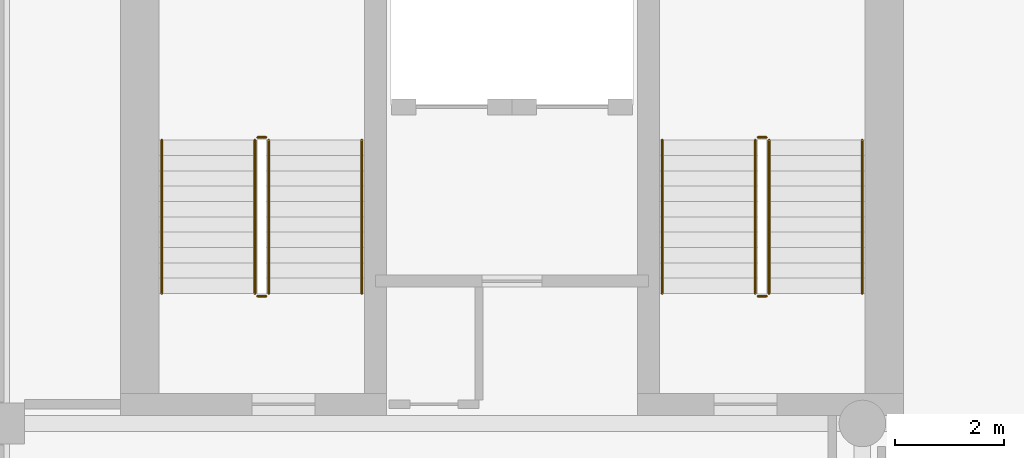
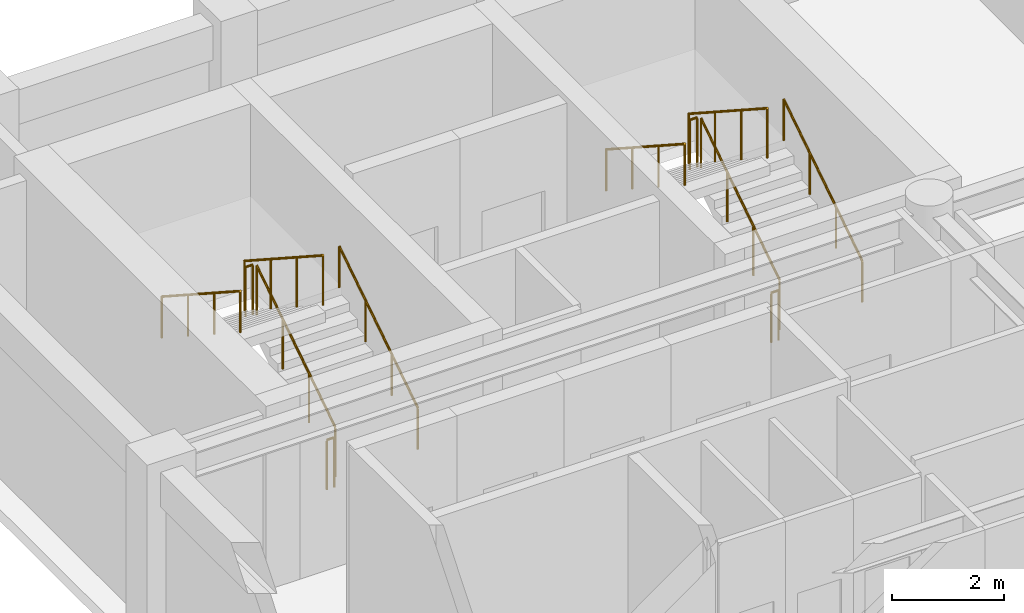
# One storey, part 7 of 8: 12 railings.
"""IFC4 building model written with IfcOpenShell, lengths in metres."""

from ifc_helpers import new_model, si_unit, direction, frame, origin, origin_2d, place, context, subcontext, project, spatial, circle, extrude, material, type_object, element, save


model = new_model("IFC4")

# Units and contexts
model_context = context("Model", 3, precision=1e-05, world=origin(), true_north=direction((0.0, 1.0)))
body_context = subcontext(model_context, "Body", "Model", "MODEL_VIEW")
ifc_project = project(units=[si_unit("LENGTHUNIT", "METRE"), si_unit("AREAUNIT", "SQUARE_METRE"), si_unit("VOLUMEUNIT", "CUBIC_METRE"), si_unit("PLANEANGLEUNIT", "RADIAN"), si_unit("MASSUNIT", "GRAM", prefix="KILO")], contexts=[model_context])

# Site, building, storey
site_placement = place(None, origin())
site = spatial("IfcSite", under=ifc_project, at=site_placement, CompositionType="ELEMENT")
building_placement = place(site_placement, origin())
building = spatial("IfcBuilding", under=site, at=building_placement, Name="Sulina Concourse Tower", CompositionType="ELEMENT")
storey_placement = place(building_placement, frame((0.0, 0.0, 252.60009765625)))
storey = spatial("IfcBuildingStorey", under=building, at=storey_placement, Name="L61", CompositionType="ELEMENT", Elevation=252.60009765625)

# Railings
ifc_material_1 = material(Name="Galvanised steel railing", Category="steel")
railing_type_1 = type_object("IfcRailingType", Name="Core Stair Steel Guardrail 1150mm", PredefinedType="GUARDRAIL", material=ifc_material_1)
railing_1_placement = place(storey_placement, frame((5.554931640625, 36.375, 0.181640625)))
element("IfcRailing", 1, at=railing_1_placement, inside=storey, type_object=railing_type_1, Name="L61 ST-1 stair guard 1", PredefinedType="GUARDRAIL", context=body_context, shape_type="SweptSolid", body=[
    extrude(circle(Radius=0.02392578125, at=origin_2d()), frame((0.0, 0.0, 1.076171875), z_axis=(0.0, 0.838672427954, 0.544636170843), x_axis=(-1.0, 0.0, 0.0)), (0.0, 0.0, 1.0), 3.338623046875),
    extrude(circle(Radius=0.02099609375, at=origin_2d()), origin(), (0.0, 0.0, 1.0), 1.052001953125),
    extrude(circle(Radius=0.02099609375, at=origin_2d()), frame((0.0, 0.933349609375, 0.606201171875)), (0.0, 0.0, 1.0), 1.052001953125),
    extrude(circle(Radius=0.02099609375, at=origin_2d()), frame((0.0, 1.86669921875, 1.212158203125)), (0.0, 0.0, 1.0), 1.052001953125),
    extrude(circle(Radius=0.02099609375, at=origin_2d()), frame((0.0, 2.800048828125, 1.818359375)), (0.0, 0.0, 1.0), 1.052001953125),
])
railing_2_placement = place(storey_placement, frame((5.5048828125, 39.22509765625, 2.0)))
element("IfcRailing", 2, at=railing_2_placement, inside=storey, type_object=railing_type_1, Name="L61 ST-1 stair guard 2", PredefinedType="GUARDRAIL", context=body_context, shape_type="SweptSolid", body=[
    extrude(circle(Radius=0.02392578125, at=origin_2d()), frame((0.0, 0.0, 1.076171875), z_axis=(-1.0, 0.0, 0.0), x_axis=(0.0, -1.0, 0.0)), (0.0, 0.0, 1.0), 0.14990234375),
    extrude(circle(Radius=0.02099609375, at=origin_2d()), origin(), (0.0, 0.0, 1.0), 1.052001953125),
    extrude(circle(Radius=0.02099609375, at=origin_2d()), frame((-0.14990234375, 0.0, 0.0)), (0.0, 0.0, 1.0), 1.052001953125),
])
railing_3_placement = place(storey_placement, frame((5.304931640625, 39.175048828125, 2.181640625)))
element("IfcRailing", 3, at=railing_3_placement, inside=storey, type_object=railing_type_1, Name="L61 ST-1 stair guard 3", PredefinedType="GUARDRAIL", context=body_context, shape_type="SweptSolid", body=[
    extrude(circle(Radius=0.02392578125, at=origin_2d()), frame((0.0, 0.0, 1.076171875), z_axis=(0.0, -0.838672427954, 0.544636170843), x_axis=(1.0, 0.0, 0.0)), (0.0, 0.0, 1.0), 3.338623046875),
    extrude(circle(Radius=0.02099609375, at=origin_2d()), origin(), (0.0, 0.0, 1.0), 1.052001953125),
    extrude(circle(Radius=0.02099609375, at=origin_2d()), frame((0.0, -0.933349609375, 0.606201171875)), (0.0, 0.0, 1.0), 1.052001953125),
    extrude(circle(Radius=0.02099609375, at=origin_2d()), frame((0.0, -1.86669921875, 1.212158203125)), (0.0, 0.0, 1.0), 1.052001953125),
    extrude(circle(Radius=0.02099609375, at=origin_2d()), frame((0.0, -2.800048828125, 1.818359375)), (0.0, 0.0, 1.0), 1.052001953125),
])
railing_4_placement = place(storey_placement, frame((5.5048828125, 36.324951171875, 0.0)))
element("IfcRailing", 4, at=railing_4_placement, inside=storey, type_object=railing_type_1, Name="L61 ST-1 stair guard 4", PredefinedType="GUARDRAIL", context=body_context, shape_type="SweptSolid", body=[
    extrude(circle(Radius=0.02392578125, at=origin_2d()), frame((0.0, 0.0, 1.076171875), z_axis=(-1.0, 0.0, 0.0), x_axis=(0.0, -1.0, 0.0)), (0.0, 0.0, 1.0), 0.14990234375),
    extrude(circle(Radius=0.02099609375, at=origin_2d()), origin(), (0.0, 0.0, 1.0), 1.052001953125),
    extrude(circle(Radius=0.02099609375, at=origin_2d()), frame((-0.14990234375, 0.0, 0.0)), (0.0, 0.0, 1.0), 1.052001953125),
])
railing_5_placement = place(storey_placement, frame((14.695068359375, 36.375, 0.181640625)))
element("IfcRailing", 5, at=railing_5_placement, inside=storey, type_object=railing_type_1, Name="L61 ST-2 stair guard 1", PredefinedType="GUARDRAIL", context=body_context, shape_type="SweptSolid", body=[
    extrude(circle(Radius=0.02392578125, at=origin_2d()), frame((0.0, 0.0, 1.076171875), z_axis=(0.0, 0.838672427954, 0.544636170843), x_axis=(-1.0, 0.0, 0.0)), (0.0, 0.0, 1.0), 3.338623046875),
    extrude(circle(Radius=0.02099609375, at=origin_2d()), origin(), (0.0, 0.0, 1.0), 1.052001953125),
    extrude(circle(Radius=0.02099609375, at=origin_2d()), frame((0.0, 0.933349609375, 0.606201171875)), (0.0, 0.0, 1.0), 1.052001953125),
    extrude(circle(Radius=0.02099609375, at=origin_2d()), frame((0.0, 1.86669921875, 1.212158203125)), (0.0, 0.0, 1.0), 1.052001953125),
    extrude(circle(Radius=0.02099609375, at=origin_2d()), frame((0.0, 2.800048828125, 1.818359375)), (0.0, 0.0, 1.0), 1.052001953125),
])
railing_6_placement = place(storey_placement, frame((14.64501953125, 39.22509765625, 2.0)))
element("IfcRailing", 6, at=railing_6_placement, inside=storey, type_object=railing_type_1, Name="L61 ST-2 stair guard 2", PredefinedType="GUARDRAIL", context=body_context, shape_type="SweptSolid", body=[
    extrude(circle(Radius=0.02392578125, at=origin_2d()), frame((0.0, 0.0, 1.076171875), z_axis=(-1.0, 0.0, 0.0), x_axis=(0.0, -1.0, 0.0)), (0.0, 0.0, 1.0), 0.14990234375),
    extrude(circle(Radius=0.02099609375, at=origin_2d()), origin(), (0.0, 0.0, 1.0), 1.052001953125),
    extrude(circle(Radius=0.02099609375, at=origin_2d()), frame((-0.14990234375, 0.0, 0.0)), (0.0, 0.0, 1.0), 1.052001953125),
])
railing_7_placement = place(storey_placement, frame((14.445068359375, 39.175048828125, 2.181640625)))
element("IfcRailing", 7, at=railing_7_placement, inside=storey, type_object=railing_type_1, Name="L61 ST-2 stair guard 3", PredefinedType="GUARDRAIL", context=body_context, shape_type="SweptSolid", body=[
    extrude(circle(Radius=0.02392578125, at=origin_2d()), frame((0.0, 0.0, 1.076171875), z_axis=(0.0, -0.838672427954, 0.544636170843), x_axis=(1.0, 0.0, 0.0)), (0.0, 0.0, 1.0), 3.338623046875),
    extrude(circle(Radius=0.02099609375, at=origin_2d()), origin(), (0.0, 0.0, 1.0), 1.052001953125),
    extrude(circle(Radius=0.02099609375, at=origin_2d()), frame((0.0, -0.933349609375, 0.606201171875)), (0.0, 0.0, 1.0), 1.052001953125),
    extrude(circle(Radius=0.02099609375, at=origin_2d()), frame((0.0, -1.86669921875, 1.212158203125)), (0.0, 0.0, 1.0), 1.052001953125),
    extrude(circle(Radius=0.02099609375, at=origin_2d()), frame((0.0, -2.800048828125, 1.818359375)), (0.0, 0.0, 1.0), 1.052001953125),
])
railing_8_placement = place(storey_placement, frame((14.64501953125, 36.324951171875, 0.0)))
element("IfcRailing", 8, at=railing_8_placement, inside=storey, type_object=railing_type_1, Name="L61 ST-2 stair guard 4", PredefinedType="GUARDRAIL", context=body_context, shape_type="SweptSolid", body=[
    extrude(circle(Radius=0.02392578125, at=origin_2d()), frame((0.0, 0.0, 1.076171875), z_axis=(-1.0, 0.0, 0.0), x_axis=(0.0, -1.0, 0.0)), (0.0, 0.0, 1.0), 0.14990234375),
    extrude(circle(Radius=0.02099609375, at=origin_2d()), origin(), (0.0, 0.0, 1.0), 1.052001953125),
    extrude(circle(Radius=0.02099609375, at=origin_2d()), frame((-0.14990234375, 0.0, 0.0)), (0.0, 0.0, 1.0), 1.052001953125),
])
ifc_material_2 = material(Name="Galvanised steel railing", Category="steel")
railing_type_2 = type_object("IfcRailingType", Name="Stair Wall Steel Handrail 920mm", PredefinedType="HANDRAIL", material=ifc_material_2)
railing_9_placement = place(storey_placement, frame((7.2548828125, 36.375, 0.181640625)))
element("IfcRailing", 9, at=railing_9_placement, inside=storey, type_object=railing_type_2, Name="L61 ST-1 stair handrail 1", PredefinedType="HANDRAIL", context=body_context, shape_type="SweptSolid", body=[
    extrude(circle(Radius=0.02392578125, at=origin_2d()), frame((0.0, 0.0, 0.89599609375), z_axis=(0.0, 0.838672427954, 0.544636170843), x_axis=(-1.0, 0.0, 0.0)), (0.0, 0.0, 1.0), 3.338623046875),
    extrude(circle(Radius=0.02099609375, at=origin_2d()), origin(), (0.0, 0.0, 1.0), 0.871826171875),
    extrude(circle(Radius=0.02099609375, at=origin_2d()), frame((0.0, 0.933349609375, 0.606201171875)), (0.0, 0.0, 1.0), 0.871826171875),
    extrude(circle(Radius=0.02099609375, at=origin_2d()), frame((0.0, 1.86669921875, 1.212158203125)), (0.0, 0.0, 1.0), 0.871826171875),
    extrude(circle(Radius=0.02099609375, at=origin_2d()), frame((0.0, 2.800048828125, 1.818359375)), (0.0, 0.0, 1.0), 0.871826171875),
])
railing_10_placement = place(storey_placement, frame((3.60498046875, 39.175048828125, 2.181640625)))
element("IfcRailing", 10, at=railing_10_placement, inside=storey, type_object=railing_type_2, Name="L61 ST-1 stair handrail 2", PredefinedType="HANDRAIL", context=body_context, shape_type="SweptSolid", body=[
    extrude(circle(Radius=0.02392578125, at=origin_2d()), frame((0.0, 0.0, 0.89599609375), z_axis=(0.0, -0.838672427954, 0.544636170843), x_axis=(1.0, 0.0, 0.0)), (0.0, 0.0, 1.0), 3.338623046875),
    extrude(circle(Radius=0.02099609375, at=origin_2d()), origin(), (0.0, 0.0, 1.0), 0.871826171875),
    extrude(circle(Radius=0.02099609375, at=origin_2d()), frame((0.0, -0.933349609375, 0.606201171875)), (0.0, 0.0, 1.0), 0.871826171875),
    extrude(circle(Radius=0.02099609375, at=origin_2d()), frame((0.0, -1.86669921875, 1.212158203125)), (0.0, 0.0, 1.0), 0.871826171875),
    extrude(circle(Radius=0.02099609375, at=origin_2d()), frame((0.0, -2.800048828125, 1.818359375)), (0.0, 0.0, 1.0), 0.871826171875),
])
railing_11_placement = place(storey_placement, frame((16.39501953125, 36.375, 0.181640625)))
element("IfcRailing", 11, at=railing_11_placement, inside=storey, type_object=railing_type_2, Name="L61 ST-2 stair handrail 1", PredefinedType="HANDRAIL", context=body_context, shape_type="SweptSolid", body=[
    extrude(circle(Radius=0.02392578125, at=origin_2d()), frame((0.0, 0.0, 0.89599609375), z_axis=(0.0, 0.838672427954, 0.544636170843), x_axis=(-1.0, 0.0, 0.0)), (0.0, 0.0, 1.0), 3.338623046875),
    extrude(circle(Radius=0.02099609375, at=origin_2d()), origin(), (0.0, 0.0, 1.0), 0.871826171875),
    extrude(circle(Radius=0.02099609375, at=origin_2d()), frame((0.0, 0.933349609375, 0.606201171875)), (0.0, 0.0, 1.0), 0.871826171875),
    extrude(circle(Radius=0.02099609375, at=origin_2d()), frame((0.0, 1.86669921875, 1.212158203125)), (0.0, 0.0, 1.0), 0.871826171875),
    extrude(circle(Radius=0.02099609375, at=origin_2d()), frame((0.0, 2.800048828125, 1.818359375)), (0.0, 0.0, 1.0), 0.871826171875),
])
railing_12_placement = place(storey_placement, frame((12.7451171875, 39.175048828125, 2.181640625)))
element("IfcRailing", 12, at=railing_12_placement, inside=storey, type_object=railing_type_2, Name="L61 ST-2 stair handrail 2", PredefinedType="HANDRAIL", context=body_context, shape_type="SweptSolid", body=[
    extrude(circle(Radius=0.02392578125, at=origin_2d()), frame((0.0, 0.0, 0.89599609375), z_axis=(0.0, -0.838672427954, 0.544636170843), x_axis=(1.0, 0.0, 0.0)), (0.0, 0.0, 1.0), 3.338623046875),
    extrude(circle(Radius=0.02099609375, at=origin_2d()), origin(), (0.0, 0.0, 1.0), 0.871826171875),
    extrude(circle(Radius=0.02099609375, at=origin_2d()), frame((0.0, -0.933349609375, 0.606201171875)), (0.0, 0.0, 1.0), 0.871826171875),
    extrude(circle(Radius=0.02099609375, at=origin_2d()), frame((0.0, -1.86669921875, 1.212158203125)), (0.0, 0.0, 1.0), 0.871826171875),
    extrude(circle(Radius=0.02099609375, at=origin_2d()), frame((0.0, -2.800048828125, 1.818359375)), (0.0, 0.0, 1.0), 0.871826171875),
])

save(model, "model.ifc")
